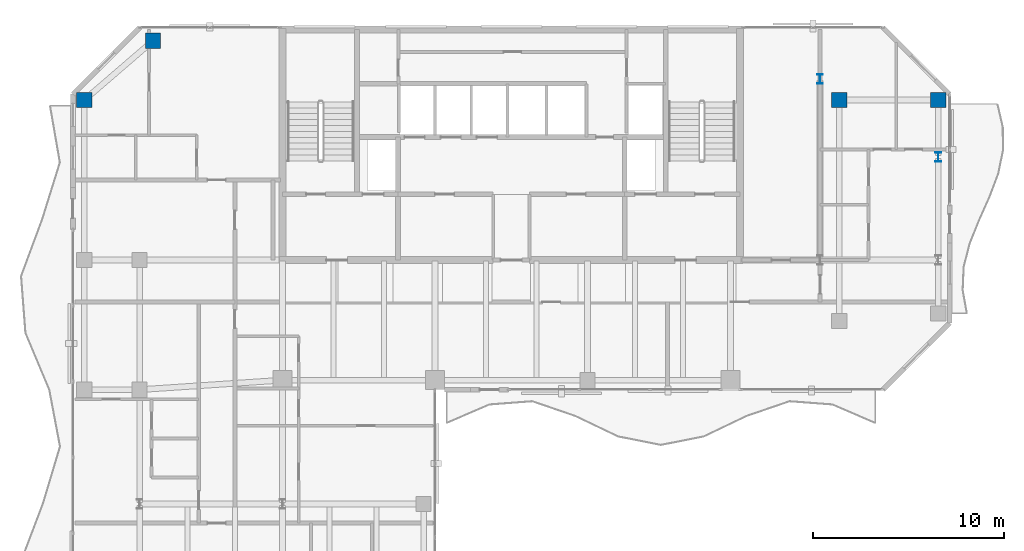
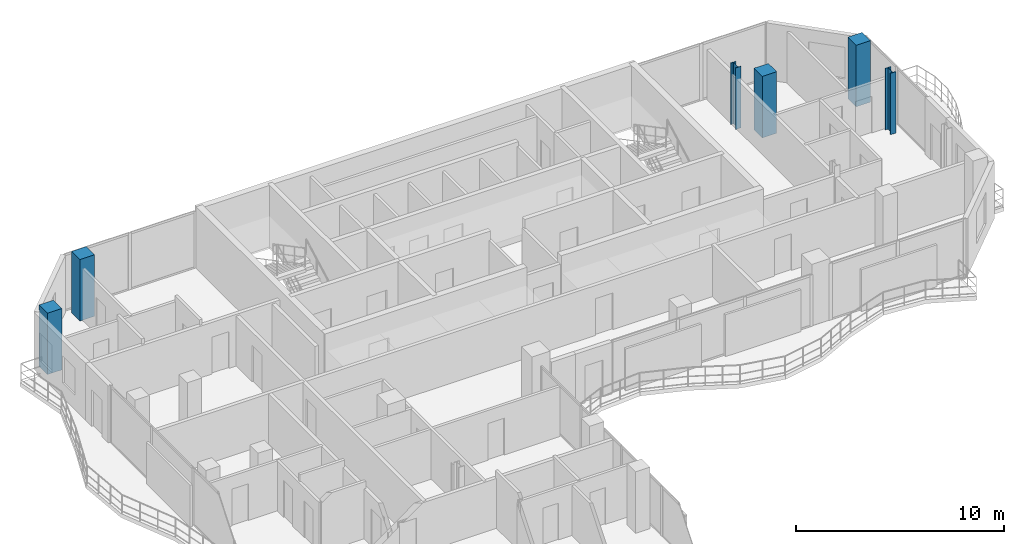
# One storey, part 2 of 23: 6 columns.
"""IFC4 building model written with IfcOpenShell, lengths in metres."""

from ifc_helpers import new_model, si_unit, direction, frame, origin, origin_2d, place, context, subcontext, project, spatial, rectangle, i_section, extrude, material, material_profile, profile_set, type_object, element, save


model = new_model("IFC4")

# Units and contexts
model_context = context("Model", 3, precision=1e-05, world=origin(), true_north=direction((0.0, 1.0)))
body_context = subcontext(model_context, "Body", "Model", "MODEL_VIEW")
ifc_project = project(units=[si_unit("LENGTHUNIT", "METRE"), si_unit("AREAUNIT", "SQUARE_METRE"), si_unit("VOLUMEUNIT", "CUBIC_METRE"), si_unit("PLANEANGLEUNIT", "RADIAN"), si_unit("MASSUNIT", "GRAM", prefix="KILO")], contexts=[model_context])

# Site, building, storey
site_placement = place(None, origin())
site = spatial("IfcSite", under=ifc_project, at=site_placement, CompositionType="ELEMENT")
building_placement = place(site_placement, origin())
building = spatial("IfcBuilding", under=site, at=building_placement, Name="Catumbela Crestline Tower", CompositionType="ELEMENT")
storey_placement = place(building_placement, frame((0.0, 0.0, 172.2)))
storey = spatial("IfcBuildingStorey", under=building, at=storey_placement, Name="L44", CompositionType="ELEMENT", Elevation=172.2)

# Columns
ifc_material_1 = material(Name="Concrete C50/60", Category="concrete")
ifc_material_profile_1 = material_profile(ifc_material_1, rectangle(XDim=0.8, YDim=0.8, at=origin_2d()), Name="RC 800x800")
ifc_profile_set_1 = profile_set([ifc_material_profile_1], Name="Concrete C50/60")
column_type_1 = type_object("IfcColumnType", Name="C-RC800-C50", PredefinedType="COLUMN", material=ifc_profile_set_1)
for number, where, z_axis, x_axis, name in (
    (1, (5.6, 39.2, 0.0), (0.0, 0.0, 1.0), (1.0, 0.0, 0.0), "L44 Column C-05-43 (RC 800x800)"),
    (2, (9.2, 42.3, 0.0), (0.0, 0.0, 1.0), (1.0, 0.0, 0.0), "L44 Column C-08-43 (RC 800x800)"),
    (3, (45.2, 39.2, 0.0), (0.0, 0.0, 1.0), (1.0, 0.0, 0.0), "L44 Column C-46-43 (RC 800x800)"),
    (4, (50.4, 39.2, 0.0), (0.0, 0.0, 1.0), (1.0, 0.0, 0.0), "L44 Column C-51-43 (RC 800x800)"),
):
    element("IfcColumn", number, at=place(storey_placement, frame(where, z_axis=z_axis, x_axis=x_axis)), inside=storey, type_object=column_type_1, Name=name, PredefinedType="COLUMN", context=body_context, shape_type="SweptSolid", body=[
        extrude(rectangle(XDim=0.8, YDim=0.8, at=origin_2d()), origin(), (0.0, 0.0, 1.0), 3.6),
    ])
ifc_material_2 = material(Name="Structural steel S355J2", Category="steel")
ifc_material_profile_2 = material_profile(ifc_material_2, i_section(OverallWidth=0.3, OverallDepth=0.5, WebThickness=0.0145, FlangeThickness=0.028, FilletRadius=0.027, at=origin_2d()), Name="HEB 500")
ifc_profile_set_2 = profile_set([ifc_material_profile_2], Name="Structural steel S355J2")
column_type_2 = type_object("IfcColumnType", Name="C-ST-HEB500", PredefinedType="COLUMN", material=ifc_profile_set_2)
for number, where, z_axis, x_axis, name in (
    (5, (44.2, 40.3, 0.0), (0.0, 0.0, 1.0), (1.0, 0.0, 0.0), "L44 Column CT-46-37 (HEB 500)"),
    (6, (50.4, 36.2, 0.0), (0.0, 0.0, 1.0), (1.0, 0.0, 0.0), "L44 Column CT-51-37 (HEB 500)"),
):
    element("IfcColumn", number, at=place(storey_placement, frame(where, z_axis=z_axis, x_axis=x_axis)), inside=storey, type_object=column_type_2, Name=name, PredefinedType="COLUMN", context=body_context, shape_type="SweptSolid", body=[
        extrude(i_section(OverallWidth=0.3, OverallDepth=0.5, WebThickness=0.0145, FlangeThickness=0.028, FilletRadius=0.027, at=origin_2d()), origin(), (0.0, 0.0, 1.0), 3.6),
    ])

save(model, "model.ifc")
